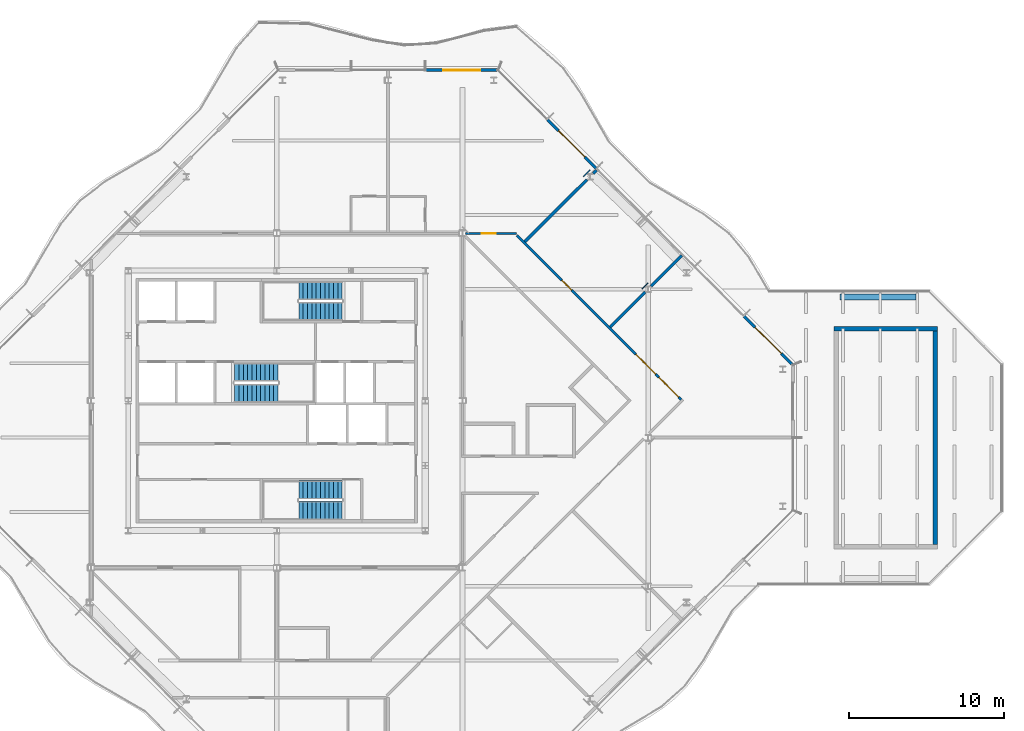
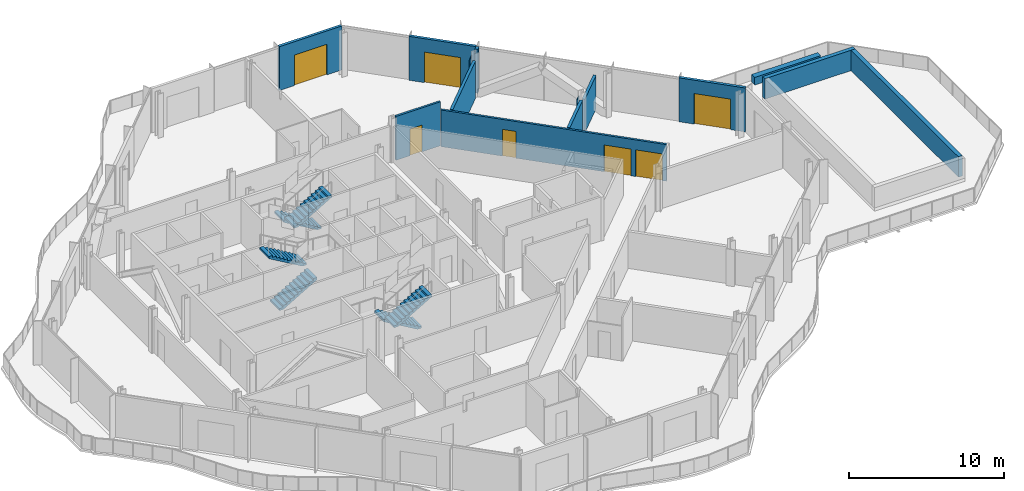
# One storey, part 11 of 16: 14 walls, 7 doors, 6 stair flights, 7 openings, 3 elements without a shape of their own.
"""IFC4 building model written with IfcOpenShell, lengths in metres."""

from ifc_helpers import new_model, si_unit, direction, frame, frame_2d, origin, place, context, subcontext, project, spatial, polyline, rectangle, outline, extrude, material, layer, layer_set, type_object, element, fill, aggregate, save


model = new_model("IFC4")

# Units and contexts
model_context = context("Model", 3, precision=1e-05, world=origin(), true_north=direction((0.0, 1.0)))
body_context = subcontext(model_context, "Body", "Model", "MODEL_VIEW")
ifc_project = project(units=[si_unit("LENGTHUNIT", "METRE"), si_unit("AREAUNIT", "SQUARE_METRE"), si_unit("VOLUMEUNIT", "CUBIC_METRE"), si_unit("PLANEANGLEUNIT", "RADIAN"), si_unit("MASSUNIT", "GRAM", prefix="KILO")], contexts=[model_context])

# Site, building, storey
site_placement = place(None, origin())
site = spatial("IfcSite", under=ifc_project, at=site_placement, CompositionType="ELEMENT")
building_placement = place(site_placement, origin())
building = spatial("IfcBuilding", under=site, at=building_placement, Name="Cairn Pilgrim Tower", CompositionType="ELEMENT")
storey_placement = place(building_placement, frame((0.0, 0.0, 267.0)))
storey = spatial("IfcBuildingStorey", under=building, at=storey_placement, Name="L68", CompositionType="ELEMENT", Elevation=267.0)

# Wall, opening, door
ifc_material_1 = material(Name="Bronze anodised aluminium insulated sandwich panel with mineral wool fill", Category="aluminium")
ifc_layer_1 = layer(ifc_material_1, 0.199951171875)
ifc_layer_set_1 = layer_set([ifc_layer_1], Name="BRONZE INFILL FRAME WALL 200")
wall_type_1 = type_object("IfcWallType", Name="BRONZE INFILL FRAME WALL 200", PredefinedType="NOTDEFINED", material=ifc_layer_set_1)
wall_1_placement = place(storey_placement, frame((40.521728515625, 4.724609375, 0.0), z_axis=(0.0, 0.0, 1.0), x_axis=(-0.707106781187, 0.707106781187, 0.0)))
wall_1 = element("IfcWall", 1, at=wall_1_placement, inside=storey, type_object=wall_type_1, Name="Bronze infill frame wall IW-NE1", PredefinedType="NOTDEFINED", context=body_context, shape_type="SweptSolid", body=[
    extrude(rectangle(XDim=4.421142578125, YDim=0.199951171875, at=frame_2d((2.21044921875, 0.0))), origin(), (0.0, 0.0, 1.0), 3.449951171875),
])
opening_1_placement = place(wall_1_placement, frame((1.00537109375, 0.0, 0.0)))
opening_1 = element("IfcOpeningElement", 2, at=opening_1_placement, cuts=wall_1, Name="Opening 6801B", PredefinedType="OPENING", context=body_context, shape_type="SweptSolid", body=[
    extrude(rectangle(XDim=2.39990234375, YDim=2.39990234375, at=frame_2d((1.199951171875, 1.199951171875))), frame((0.0, 0.10986328125, 0.0), z_axis=(0.0, -1.0, 0.0), x_axis=(1.0, 0.0, 0.0)), (0.0, 0.0, 1.0), 0.219970703125),
])
ifc_material_2 = material(Name="Bronze anodised aluminium frame with tinted low-E glass", Category="aluminium")
door_type_1 = type_object("IfcDoorType", Name="BALCONY SLIDING DOOR 2400x2400", OperationType="DOUBLE_DOOR_SLIDING", PredefinedType="DOOR", material=ifc_material_2)
door_1_placement = place(opening_1_placement, origin())
door_1 = element("IfcDoor", 3, at=door_1_placement, inside=storey, type_object=door_type_1, Name="Balcony sliding door 6801B", OperationType="SINGLE_SWING_LEFT", OverallHeight=2.39990234375, OverallWidth=2.39990234375, PredefinedType="DOOR", context=body_context, shape_type="SweptSolid", body=[
    extrude(rectangle(XDim=2.39990234375, YDim=2.39990234375, at=frame_2d((1.199951171875, 1.199951171875))), frame((0.0, 0.02490234375, 0.0), z_axis=(0.0, -1.0, 0.0), x_axis=(1.0, 0.0, 0.0)), (0.0, 0.0, 1.0), 0.050048828125),
])
fill(opening_1, door_1)

wall_2_placement = place(storey_placement, frame((27.826416015625, 17.419921875, 0.0), z_axis=(0.0, 0.0, 1.0), x_axis=(-0.707079231393, 0.707134329907, 0.0)))
wall_2 = element("IfcWall", 4, at=wall_2_placement, inside=storey, type_object=wall_type_1, Name="Bronze infill frame wall IW-NE5", PredefinedType="NOTDEFINED", context=body_context, shape_type="SweptSolid", body=[
    extrude(rectangle(XDim=4.430908203125, YDim=0.199951171875, at=frame_2d((2.21533203125, 0.0))), origin(), (0.0, 0.0, 1.0), 3.449951171875),
])
opening_2_placement = place(wall_2_placement, frame((1.01513671875, 0.0, 0.0)))
opening_2 = element("IfcOpeningElement", 5, at=opening_2_placement, cuts=wall_2, Name="Opening 6806B2", PredefinedType="OPENING", context=body_context, shape_type="SweptSolid", body=[
    extrude(rectangle(XDim=2.39990234375, YDim=2.39990234375, at=frame_2d((1.199951171875, 1.199951171875))), frame((0.0, 0.10986328125, 0.0), z_axis=(0.0, -1.0, 0.0), x_axis=(1.0, 0.0, 0.0)), (0.0, 0.0, 1.0), 0.219970703125),
])
door_2_placement = place(opening_2_placement, origin())
door_2 = element("IfcDoor", 6, at=door_2_placement, inside=storey, type_object=door_type_1, Name="Balcony sliding door 6806B2", OperationType="SINGLE_SWING_LEFT", OverallHeight=2.39990234375, OverallWidth=2.39990234375, PredefinedType="DOOR", context=body_context, shape_type="SweptSolid", body=[
    extrude(rectangle(XDim=2.39990234375, YDim=2.39990234375, at=frame_2d((1.199951171875, 1.199951171875))), frame((0.0, 0.02490234375, 0.0), z_axis=(0.0, -1.0, 0.0), x_axis=(1.0, 0.0, 0.0)), (0.0, 0.0, 1.0), 0.050048828125),
])
fill(opening_2, door_2)

wall_3_placement = place(storey_placement, frame((21.45654296875, 23.75, 0.0), z_axis=(0.0, 0.0, 1.0), x_axis=(-1.0, 0.0, 0.0)))
wall_3 = element("IfcWall", 7, at=wall_3_placement, inside=storey, type_object=wall_type_1, Name="Bronze infill frame wall IW-N1", PredefinedType="NOTDEFINED", context=body_context, shape_type="SweptSolid", body=[
    extrude(rectangle(XDim=4.62646484375, YDim=0.199951171875, at=frame_2d((2.313232421875, 0.0))), origin(), (0.0, 0.0, 1.0), 3.449951171875),
])
opening_3_placement = place(wall_3_placement, frame((1.1083984375, 0.0, 0.0)))
opening_3 = element("IfcOpeningElement", 8, at=opening_3_placement, cuts=wall_3, Name="Opening 6806B", PredefinedType="OPENING", context=body_context, shape_type="SweptSolid", body=[
    extrude(rectangle(XDim=2.39990234375, YDim=2.39990234375, at=frame_2d((1.199951171875, 1.199951171875))), frame((0.0, 0.10986328125, 0.0), z_axis=(0.0, -1.0, 0.0), x_axis=(1.0, 0.0, 0.0)), (0.0, 0.0, 1.0), 0.219970703125),
])
door_3_placement = place(opening_3_placement, origin())
door_3 = element("IfcDoor", 9, at=door_3_placement, inside=storey, type_object=door_type_1, Name="Balcony sliding door 6806B", OperationType="SINGLE_SWING_LEFT", OverallHeight=2.39990234375, OverallWidth=2.39990234375, PredefinedType="DOOR", context=body_context, shape_type="SweptSolid", body=[
    extrude(rectangle(XDim=2.39990234375, YDim=2.39990234375, at=frame_2d((1.199951171875, 1.199951171875))), frame((0.0, 0.02490234375, 0.0), z_axis=(0.0, -1.0, 0.0), x_axis=(1.0, 0.0, 0.0)), (0.0, 0.0, 1.0), 0.050048828125),
])
fill(opening_3, door_3)

# Wall, openings, doors
ifc_material_3 = material(Name="Gypsum partition")
ifc_layer_2 = layer(ifc_material_3, 0.14990234375)
ifc_layer_set_2 = layer_set([ifc_layer_2], Name="PARTITION 150 DRYWALL EI 60")
wall_type_2 = type_object("IfcWallType", Name="PARTITION 150 DRYWALL EI 60", PredefinedType="PARTITIONING", material=ifc_layer_set_2)
wall_4_placement = place(storey_placement, frame((33.341064453125, 2.452880859375, 0.0), z_axis=(0.0, 0.0, 1.0), x_axis=(-0.707098652635, 0.707114909645, 0.0)))
wall_4 = element("IfcWall", 10, at=wall_4_placement, inside=storey, type_object=wall_type_2, Name="PARTITION W043", PredefinedType="PARTITIONING", context=body_context, shape_type="SweptSolid", body=[
    extrude(rectangle(XDim=15.017578125, YDim=0.14990234375, at=frame_2d((7.5087890625, 0.0))), origin(), (0.0, 0.0, 1.0), 2.8798828125),
])
opening_4_placement = place(wall_4_placement, frame((2.3466796875, 0.0, 0.0)))
opening_4 = element("IfcOpeningElement", 11, at=opening_4_placement, cuts=wall_4, Name="Opening 6801", PredefinedType="OPENING", context=body_context, shape_type="SweptSolid", body=[
    extrude(rectangle(XDim=1.800048828125, YDim=2.10009765625, at=frame_2d((0.89990234375, 1.050048828125))), frame((0.0, 0.0849609375, 0.0), z_axis=(0.0, -1.0, 0.0), x_axis=(1.0, 0.0, 0.0)), (0.0, 0.0, 1.0), 0.169921875),
])
opening_5_placement = place(wall_4_placement, frame((0.24658203125, 0.0, 0.0)))
opening_5 = element("IfcOpeningElement", 12, at=opening_5_placement, cuts=wall_4, Name="Opening 6801A", PredefinedType="OPENING", context=body_context, shape_type="SweptSolid", body=[
    extrude(rectangle(XDim=1.800048828125, YDim=2.10009765625, at=frame_2d((0.89990234375, 1.050048828125))), frame((0.0, 0.0849609375, 0.0), z_axis=(0.0, -1.0, 0.0), x_axis=(1.0, 0.0, 0.0)), (0.0, 0.0, 1.0), 0.169921875),
])
opening_6_placement = place(wall_4_placement, frame((10.0146484375, 0.0, 0.0)))
opening_6 = element("IfcOpeningElement", 13, at=opening_6_placement, cuts=wall_4, Name="Opening 6805", PredefinedType="OPENING", context=body_context, shape_type="SweptSolid", body=[
    extrude(rectangle(XDim=0.89990234375, YDim=2.10009765625, at=frame_2d((0.449951171875, 1.050048828125))), frame((0.0, 0.0849609375, 0.0), z_axis=(0.0, -1.0, 0.0), x_axis=(1.0, 0.0, 0.0)), (0.0, 0.0, 1.0), 0.169921875),
])
ifc_material_4 = material(Name="Timber door leaf", Category="wood")
door_type_2 = type_object("IfcDoorType", Name="DOOR PAIR 1800x2100 FD60S", OperationType="NOTDEFINED", PredefinedType="DOOR", material=ifc_material_4)
door_4_placement = place(opening_4_placement, frame((1.800048828125, 0.0, 0.0), z_axis=(0.0, 0.0, 1.0), x_axis=(-1.0, 0.0, 0.0)))
door_4 = element("IfcDoor", 14, at=door_4_placement, inside=storey, type_object=door_type_2, Name="DOOR 6801", OperationType="DOUBLE_DOOR_SINGLE_SWING", OverallHeight=2.10009765625, OverallWidth=1.800048828125, PredefinedType="DOOR", context=body_context, shape_type="SweptSolid", body=[
    extrude(rectangle(XDim=1.800048828125, YDim=2.10009765625, at=frame_2d((0.89990234375, 1.050048828125))), frame((0.0, 0.02490234375, 0.0), z_axis=(0.0, -1.0, 0.0), x_axis=(1.0, 0.0, 0.0)), (0.0, 0.0, 1.0), 0.050048828125),
])
fill(opening_4, door_4)
door_5_placement = place(opening_5_placement, frame((1.800048828125, 0.0, 0.0), z_axis=(0.0, 0.0, 1.0), x_axis=(-1.0, 0.0, 0.0)))
door_5 = element("IfcDoor", 15, at=door_5_placement, inside=storey, type_object=door_type_2, Name="DOOR 6801A", OperationType="DOUBLE_DOOR_SINGLE_SWING", OverallHeight=2.10009765625, OverallWidth=1.800048828125, PredefinedType="DOOR", context=body_context, shape_type="SweptSolid", body=[
    extrude(rectangle(XDim=1.800048828125, YDim=2.10009765625, at=frame_2d((0.89990234375, 1.050048828125))), frame((0.0, 0.02490234375, 0.0), z_axis=(0.0, -1.0, 0.0), x_axis=(1.0, 0.0, 0.0)), (0.0, 0.0, 1.0), 0.050048828125),
])
fill(opening_5, door_5)
door_type_3 = type_object("IfcDoorType", Name="SERVICE DOOR 900x2100 FD30S", OperationType="NOTDEFINED", PredefinedType="DOOR", material=ifc_material_4)
door_6_placement = place(opening_6_placement, frame((0.89990234375, 0.0, 0.0), z_axis=(0.0, 0.0, 1.0), x_axis=(-1.0, 0.0, 0.0)))
door_6 = element("IfcDoor", 16, at=door_6_placement, inside=storey, type_object=door_type_3, Name="DOOR 6805", OperationType="SINGLE_SWING_RIGHT", OverallHeight=2.10009765625, OverallWidth=0.89990234375, PredefinedType="DOOR", context=body_context, shape_type="SweptSolid", body=[
    extrude(rectangle(XDim=0.89990234375, YDim=2.10009765625, at=frame_2d((0.449951171875, 1.050048828125))), frame((0.0, 0.02490234375, 0.0), z_axis=(0.0, -1.0, 0.0), x_axis=(1.0, 0.0, 0.0)), (0.0, 0.0, 1.0), 0.050048828125),
])
fill(opening_6, door_6)

# Wall, opening, door
wall_5_placement = place(storey_placement, frame((19.39697265625, 13.199951171875, 0.0), z_axis=(0.0, 0.0, 1.0), x_axis=(1.0, 0.0, 0.0)))
wall_5 = element("IfcWall", 17, at=wall_5_placement, inside=storey, type_object=wall_type_2, Name="PARTITION W053", PredefinedType="PARTITIONING", context=body_context, shape_type="SweptSolid", body=[
    extrude(rectangle(XDim=3.30322265625, YDim=0.14990234375, at=frame_2d((1.651611328125, 0.0))), origin(), (0.0, 0.0, 1.0), 3.449951171875),
])
opening_7_placement = place(wall_5_placement, frame((1.050048828125, 0.0, 0.0)))
opening_7 = element("IfcOpeningElement", 18, at=opening_7_placement, cuts=wall_5, Name="Opening 6806", PredefinedType="OPENING", context=body_context, shape_type="SweptSolid", body=[
    extrude(rectangle(XDim=0.89990234375, YDim=2.10009765625, at=frame_2d((0.449951171875, 1.050048828125))), frame((0.0, 0.0849609375, 0.0), z_axis=(0.0, -1.0, 0.0), x_axis=(1.0, 0.0, 0.0)), (0.0, 0.0, 1.0), 0.169921875),
])
door_type_4 = type_object("IfcDoorType", Name="ROOM DOOR 900x2100 FD30S", OperationType="NOTDEFINED", PredefinedType="DOOR", material=ifc_material_4)
door_7_placement = place(opening_7_placement, origin())
door_7 = element("IfcDoor", 19, at=door_7_placement, inside=storey, type_object=door_type_4, Name="DOOR 6806", OperationType="SINGLE_SWING_RIGHT", OverallHeight=2.10009765625, OverallWidth=0.89990234375, PredefinedType="DOOR", context=body_context, shape_type="SweptSolid", body=[
    extrude(rectangle(XDim=0.89990234375, YDim=2.10009765625, at=frame_2d((0.449951171875, 1.050048828125))), frame((0.0, 0.02490234375, 0.0), z_axis=(0.0, -1.0, 0.0), x_axis=(1.0, 0.0, 0.0)), (0.0, 0.0, 1.0), 0.050048828125),
])
fill(opening_7, door_7)

# Walls
ifc_layer_3 = layer(ifc_material_3, 0.050048828125)
ifc_layer_set_3 = layer_set([ifc_layer_3], Name="PARTITION 50 DRYWALL EI 60")
wall_type_3 = type_object("IfcWallType", Name="PARTITION 50 DRYWALL EI 60", PredefinedType="PARTITIONING", material=ifc_layer_set_3)
wall_6_placement = place(storey_placement, frame((30.7978515625, 9.61767578125, 0.0), z_axis=(0.0, 0.0, 1.0), x_axis=(0.707106781187, 0.707106781187, 0.0)))
element("IfcWall", 20, at=wall_6_placement, inside=storey, type_object=wall_type_3, Name="COLUMN CASING WC20", PredefinedType="PARTITIONING", context=body_context, shape_type="SweptSolid", body=[
    extrude(rectangle(XDim=0.543701171875, YDim=0.050048828125, at=frame_2d((0.27197265625, 0.0))), origin(), (0.0, 0.0, 1.0), 2.8798828125),
])
wall_7_placement = place(storey_placement, frame((27.037841796875, 16.893310546875, 0.0), z_axis=(0.0, 0.0, 1.0), x_axis=(0.707106781187, 0.707106781187, 0.0)))
element("IfcWall", 21, at=wall_7_placement, inside=storey, type_object=wall_type_3, Name="COLUMN CASING WC21", PredefinedType="PARTITIONING", context=body_context, shape_type="SweptSolid", body=[
    extrude(rectangle(XDim=0.56005859375, YDim=0.050048828125, at=frame_2d((0.280029296875, 0.0))), origin(), (0.0, 0.0, 1.0), 2.929931640625),
])
ifc_material_5 = material(Name="Concrete C35/45", Category="concrete")
ifc_layer_4 = layer(ifc_material_5, 0.39990234375)
ifc_layer_set_4 = layer_set([ifc_layer_4], Name="PLANTER TROUGH WALL 400 CONCRETE C35/45")
wall_type_4 = type_object("IfcWallType", Name="PLANTER TROUGH WALL 400 CONCRETE C35/45", PredefinedType="NOTDEFINED", material=ifc_layer_set_4)
wall_8_placement = place(storey_placement, frame((43.60009765625, 9.10009765625, 0.0), z_axis=(0.0, 0.0, 1.0), x_axis=(1.0, 0.0, 0.0)))
element("IfcWall", 22, at=wall_8_placement, inside=storey, type_object=wall_type_4, Name="Planter trough PL-N", PredefinedType="NOTDEFINED", context=body_context, shape_type="SweptSolid", body=[
    extrude(rectangle(XDim=4.89990234375, YDim=0.39990234375, at=frame_2d((2.449951171875, 0.0))), origin(), (0.0, 0.0, 1.0), 0.60009765625),
])
ifc_layer_5 = layer(ifc_material_3, 0.199951171875)
ifc_layer_set_5 = layer_set([ifc_layer_5], Name="SHAFT WALL 200 GYPSUM EI 60")
wall_type_5 = type_object("IfcWallType", Name="SHAFT WALL 200 GYPSUM EI 60", PredefinedType="PARTITIONING", material=ifc_layer_set_5)
wall_9_placement = place(storey_placement, frame((28.75, 7.14990234375, 0.0), z_axis=(0.0, 0.0, 1.0), x_axis=(0.707106781187, 0.707106781187, 0.0)))
element("IfcWall", 23, at=wall_9_placement, inside=storey, type_object=wall_type_5, Name="PARTITION W047", PredefinedType="PARTITIONING", context=body_context, shape_type="SweptSolid", body=[
    extrude(rectangle(XDim=3.193115234375, YDim=0.199951171875, at=frame_2d((1.5966796875, 0.0))), origin(), (0.0, 0.0, 1.0), 2.929931640625),
])
wall_10_placement = place(storey_placement, frame((31.392333984375, 9.792236328125, 0.0), z_axis=(0.0, 0.0, 1.0), x_axis=(0.707106781187, 0.707106781187, 0.0)))
element("IfcWall", 24, at=wall_10_placement, inside=storey, type_object=wall_type_5, Name="PARTITION W048", PredefinedType="PARTITIONING", context=body_context, shape_type="SweptSolid", body=[
    extrude(rectangle(XDim=2.812255859375, YDim=0.199951171875, at=frame_2d((1.40625, 0.0))), origin(), (0.0, 0.0, 1.0), 2.6298828125),
])
wall_11_placement = place(storey_placement, frame((23.238037109375, 12.662109375, 0.0), z_axis=(0.0, 0.0, 1.0), x_axis=(0.707128276734, 0.707085284986, 0.0)))
element("IfcWall", 25, at=wall_11_placement, inside=storey, type_object=wall_type_5, Name="PARTITION W050", PredefinedType="PARTITIONING", context=body_context, shape_type="SweptSolid", body=[
    extrude(rectangle(XDim=5.6787109375, YDim=0.199951171875, at=frame_2d((2.83935546875, 0.0))), origin(), (0.0, 0.0, 1.0), 2.929931640625),
])
wall_12_placement = place(storey_placement, frame((27.649658203125, 17.073486328125, 0.0), z_axis=(0.0, 0.0, 1.0), x_axis=(0.707106781187, 0.707106781187, 0.0)))
element("IfcWall", 26, at=wall_12_placement, inside=storey, type_object=wall_type_5, Name="PARTITION W059", PredefinedType="PARTITIONING", context=body_context, shape_type="SweptSolid", body=[
    extrude(rectangle(XDim=0.31005859375, YDim=0.199951171875, at=frame_2d((0.155029296875, 0.0))), origin(), (0.0, 0.0, 1.0), 3.449951171875),
])
ifc_layer_6 = layer(ifc_material_5, 0.300048828125)
ifc_layer_set_6 = layer_set([ifc_layer_6], Name="SKY POOL WALL 300 CONCRETE C35/45")
wall_type_6 = type_object("IfcWallType", Name="SKY POOL WALL 300 CONCRETE C35/45", PredefinedType="NOTDEFINED", material=ifc_layer_set_6)
wall_13_placement = place(storey_placement, frame((43.199951171875, 7.050048828125, 0.25), z_axis=(0.0, 0.0, 1.0), x_axis=(1.0, 0.0, 0.0)))
element("IfcWall", 27, at=wall_13_placement, inside=storey, type_object=wall_type_6, Name="Sky pool wall N", PredefinedType="NOTDEFINED", context=body_context, shape_type="SweptSolid", body=[
    extrude(rectangle(XDim=6.699951171875, YDim=0.300048828125, at=frame_2d((3.35009765625, 0.0))), origin(), (0.0, 0.0, 1.0), 1.60009765625),
])
wall_14_placement = place(storey_placement, frame((49.75, -6.89990234375, 0.25), z_axis=(0.0, 0.0, 1.0), x_axis=(0.0, 1.0, 0.0)))
element("IfcWall", 28, at=wall_14_placement, inside=storey, type_object=wall_type_6, Name="Sky pool wall E", PredefinedType="NOTDEFINED", context=body_context, shape_type="SweptSolid", body=[
    extrude(rectangle(XDim=13.7998046875, YDim=0.300048828125, at=frame_2d((6.89990234375, 0.0))), origin(), (0.0, 0.0, 1.0), 1.60009765625),
])

# Stair, stair flights
ifc_material_6 = material(Name="Concrete C32/40", Category="concrete")
stair_type = type_object("IfcStairType", Name="EXIT STAIR 1200", PredefinedType="HALF_TURN_STAIR", material=ifc_material_6)
stair_1_placement = place(storey_placement, origin())
stair_1 = element("IfcStair", 29, at=stair_1_placement, inside=storey, type_object=stair_type, Name="L68 Exit Stair A", PredefinedType="HALF_TURN_STAIR")
stair_flight_type = type_object("IfcStairFlightType", Name="STAIR FLIGHT 1200", PredefinedType="STRAIGHT", material=ifc_material_6)
stair_flight_1_placement = place(storey_placement, frame((11.425048828125, -3.375, 0.0), z_axis=(0.0, 0.0, 1.0), x_axis=(-1.0, 0.0, 0.0)))
stair_flight_1 = element("IfcStairFlight", 30, at=stair_flight_1_placement, type_object=stair_flight_type, Name="ST-A flight 1", NumberOfRisers=11, NumberOfTreads=10, PredefinedType="STRAIGHT", RiserHeight=0.163636364, TreadLength=0.28, context=body_context, shape_type="SweptSolid", body=[
    extrude(outline(polyline([(0.0, 0.0), (0.0, 0.16357421875), (0.280029296875, 0.16357421875), (0.280029296875, 0.327392578125), (0.56005859375, 0.327392578125), (0.56005859375, 0.490966796875), (0.840087890625, 0.490966796875), (0.840087890625, 0.654541015625), (1.1201171875, 0.654541015625), (1.1201171875, 0.818115234375), (1.39990234375, 0.818115234375), (1.39990234375, 0.98193359375), (1.679931640625, 0.98193359375), (1.679931640625, 1.1455078125), (1.9599609375, 1.1455078125), (1.9599609375, 1.30908203125), (2.239990234375, 1.30908203125), (2.239990234375, 1.47265625), (2.52001953125, 1.47265625), (2.52001953125, 1.636474609375), (2.800048828125, 1.636474609375), (2.800048828125, 1.800048828125), (2.800048828125, 1.462646484375), (0.297119140625, 0.0), (0.0, 0.0)])), frame((0.0, 0.60009765625, 0.0), z_axis=(0.0, -1.0, 0.0), x_axis=(1.0, 0.0, 0.0)), (0.0, 0.0, 1.0), 1.199951171875),
])
stair_flight_2_placement = place(storey_placement, frame((8.625, -4.699951171875, 1.800048828125), z_axis=(0.0, 0.0, 1.0), x_axis=(1.0, 0.0, 0.0)))
stair_flight_2 = element("IfcStairFlight", 31, at=stair_flight_2_placement, type_object=stair_flight_type, Name="ST-A flight 2", NumberOfRisers=11, NumberOfTreads=10, PredefinedType="STRAIGHT", RiserHeight=0.163636364, TreadLength=0.28, context=body_context, shape_type="SweptSolid", body=[
    extrude(outline(polyline([(0.0, 0.0), (0.0, 0.16357421875), (0.280029296875, 0.16357421875), (0.280029296875, 0.327392578125), (0.56005859375, 0.327392578125), (0.56005859375, 0.490966796875), (0.840087890625, 0.490966796875), (0.840087890625, 0.654541015625), (1.1201171875, 0.654541015625), (1.1201171875, 0.818115234375), (1.39990234375, 0.818115234375), (1.39990234375, 0.98193359375), (1.679931640625, 0.98193359375), (1.679931640625, 1.1455078125), (1.9599609375, 1.1455078125), (1.9599609375, 1.30908203125), (2.239990234375, 1.30908203125), (2.239990234375, 1.47265625), (2.52001953125, 1.47265625), (2.52001953125, 1.636474609375), (2.800048828125, 1.636474609375), (2.800048828125, 1.800048828125), (2.800048828125, 1.462646484375), (0.297119140625, 0.0), (0.0, 0.0)])), frame((0.0, 0.60009765625, 0.0), z_axis=(0.0, -1.0, 0.0), x_axis=(1.0, 0.0, 0.0)), (0.0, 0.0, 1.0), 1.199951171875),
])
aggregate(stair_1, [stair_flight_1, stair_flight_2])

stair_2_placement = place(storey_placement, origin())
stair_2 = element("IfcStair", 32, at=stair_2_placement, inside=storey, type_object=stair_type, Name="L68 Exit Stair B", PredefinedType="HALF_TURN_STAIR")
stair_flight_3_placement = place(storey_placement, frame((4.47509765625, 2.875, 0.0), z_axis=(0.0, 0.0, 1.0), x_axis=(1.0, 0.0, 0.0)))
stair_flight_3 = element("IfcStairFlight", 33, at=stair_flight_3_placement, type_object=stair_flight_type, Name="ST-B flight 1", NumberOfRisers=11, NumberOfTreads=10, PredefinedType="STRAIGHT", RiserHeight=0.163636364, TreadLength=0.28, context=body_context, shape_type="SweptSolid", body=[
    extrude(outline(polyline([(0.0, 0.0), (0.0, 0.16357421875), (0.280029296875, 0.16357421875), (0.280029296875, 0.327392578125), (0.56005859375, 0.327392578125), (0.56005859375, 0.490966796875), (0.840087890625, 0.490966796875), (0.840087890625, 0.654541015625), (1.1201171875, 0.654541015625), (1.1201171875, 0.818115234375), (1.39990234375, 0.818115234375), (1.39990234375, 0.98193359375), (1.679931640625, 0.98193359375), (1.679931640625, 1.1455078125), (1.9599609375, 1.1455078125), (1.9599609375, 1.30908203125), (2.239990234375, 1.30908203125), (2.239990234375, 1.47265625), (2.52001953125, 1.47265625), (2.52001953125, 1.636474609375), (2.800048828125, 1.636474609375), (2.800048828125, 1.800048828125), (2.800048828125, 1.462646484375), (0.297119140625, 0.0), (0.0, 0.0)])), frame((0.0, 0.60009765625, 0.0), z_axis=(0.0, -1.0, 0.0), x_axis=(1.0, 0.0, 0.0)), (0.0, 0.0, 1.0), 1.199951171875),
])
stair_flight_4_placement = place(storey_placement, frame((7.27490234375, 4.22509765625, 1.800048828125), z_axis=(0.0, 0.0, 1.0), x_axis=(-1.0, 0.0, 0.0)))
stair_flight_4 = element("IfcStairFlight", 34, at=stair_flight_4_placement, type_object=stair_flight_type, Name="ST-B flight 2", NumberOfRisers=11, NumberOfTreads=10, PredefinedType="STRAIGHT", RiserHeight=0.163636364, TreadLength=0.28, context=body_context, shape_type="SweptSolid", body=[
    extrude(outline(polyline([(0.0, 0.0), (0.0, 0.16357421875), (0.280029296875, 0.16357421875), (0.280029296875, 0.327392578125), (0.56005859375, 0.327392578125), (0.56005859375, 0.490966796875), (0.840087890625, 0.490966796875), (0.840087890625, 0.654541015625), (1.1201171875, 0.654541015625), (1.1201171875, 0.818115234375), (1.39990234375, 0.818115234375), (1.39990234375, 0.98193359375), (1.679931640625, 0.98193359375), (1.679931640625, 1.1455078125), (1.9599609375, 1.1455078125), (1.9599609375, 1.30908203125), (2.239990234375, 1.30908203125), (2.239990234375, 1.47265625), (2.52001953125, 1.47265625), (2.52001953125, 1.636474609375), (2.800048828125, 1.636474609375), (2.800048828125, 1.800048828125), (2.800048828125, 1.462646484375), (0.297119140625, 0.0), (0.0, 0.0)])), frame((0.0, 0.60009765625, 0.0), z_axis=(0.0, -1.0, 0.0), x_axis=(1.0, 0.0, 0.0)), (0.0, 0.0, 1.0), 1.199951171875),
])
aggregate(stair_2, [stair_flight_3, stair_flight_4])

stair_3_placement = place(storey_placement, origin())
stair_3 = element("IfcStair", 35, at=stair_3_placement, inside=storey, type_object=stair_type, Name="L68 Exit Stair C", PredefinedType="HALF_TURN_STAIR")
stair_flight_5_placement = place(storey_placement, frame((11.425048828125, 9.5, 0.0), z_axis=(0.0, 0.0, 1.0), x_axis=(-1.0, 0.0, 0.0)))
stair_flight_5 = element("IfcStairFlight", 36, at=stair_flight_5_placement, type_object=stair_flight_type, Name="ST-C flight 1", NumberOfRisers=11, NumberOfTreads=10, PredefinedType="STRAIGHT", RiserHeight=0.163636364, TreadLength=0.28, context=body_context, shape_type="SweptSolid", body=[
    extrude(outline(polyline([(0.0, 0.0), (0.0, 0.16357421875), (0.280029296875, 0.16357421875), (0.280029296875, 0.327392578125), (0.56005859375, 0.327392578125), (0.56005859375, 0.490966796875), (0.840087890625, 0.490966796875), (0.840087890625, 0.654541015625), (1.1201171875, 0.654541015625), (1.1201171875, 0.818115234375), (1.39990234375, 0.818115234375), (1.39990234375, 0.98193359375), (1.679931640625, 0.98193359375), (1.679931640625, 1.1455078125), (1.9599609375, 1.1455078125), (1.9599609375, 1.30908203125), (2.239990234375, 1.30908203125), (2.239990234375, 1.47265625), (2.52001953125, 1.47265625), (2.52001953125, 1.636474609375), (2.800048828125, 1.636474609375), (2.800048828125, 1.800048828125), (2.800048828125, 1.462646484375), (0.297119140625, 0.0), (0.0, 0.0)])), frame((0.0, 0.60009765625, 0.0), z_axis=(0.0, -1.0, 0.0), x_axis=(1.0, 0.0, 0.0)), (0.0, 0.0, 1.0), 1.199951171875),
])
stair_flight_6_placement = place(storey_placement, frame((8.625, 8.175048828125, 1.800048828125), z_axis=(0.0, 0.0, 1.0), x_axis=(1.0, 0.0, 0.0)))
stair_flight_6 = element("IfcStairFlight", 37, at=stair_flight_6_placement, type_object=stair_flight_type, Name="ST-C flight 2", NumberOfRisers=11, NumberOfTreads=10, PredefinedType="STRAIGHT", RiserHeight=0.163636364, TreadLength=0.28, context=body_context, shape_type="SweptSolid", body=[
    extrude(outline(polyline([(0.0, 0.0), (0.0, 0.16357421875), (0.280029296875, 0.16357421875), (0.280029296875, 0.327392578125), (0.56005859375, 0.327392578125), (0.56005859375, 0.490966796875), (0.840087890625, 0.490966796875), (0.840087890625, 0.654541015625), (1.1201171875, 0.654541015625), (1.1201171875, 0.818115234375), (1.39990234375, 0.818115234375), (1.39990234375, 0.98193359375), (1.679931640625, 0.98193359375), (1.679931640625, 1.1455078125), (1.9599609375, 1.1455078125), (1.9599609375, 1.30908203125), (2.239990234375, 1.30908203125), (2.239990234375, 1.47265625), (2.52001953125, 1.47265625), (2.52001953125, 1.636474609375), (2.800048828125, 1.636474609375), (2.800048828125, 1.800048828125), (2.800048828125, 1.462646484375), (0.297119140625, 0.0), (0.0, 0.0)])), frame((0.0, 0.60009765625, 0.0), z_axis=(0.0, -1.0, 0.0), x_axis=(1.0, 0.0, 0.0)), (0.0, 0.0, 1.0), 1.199951171875),
])
aggregate(stair_3, [stair_flight_5, stair_flight_6])

save(model, "model.ifc")
